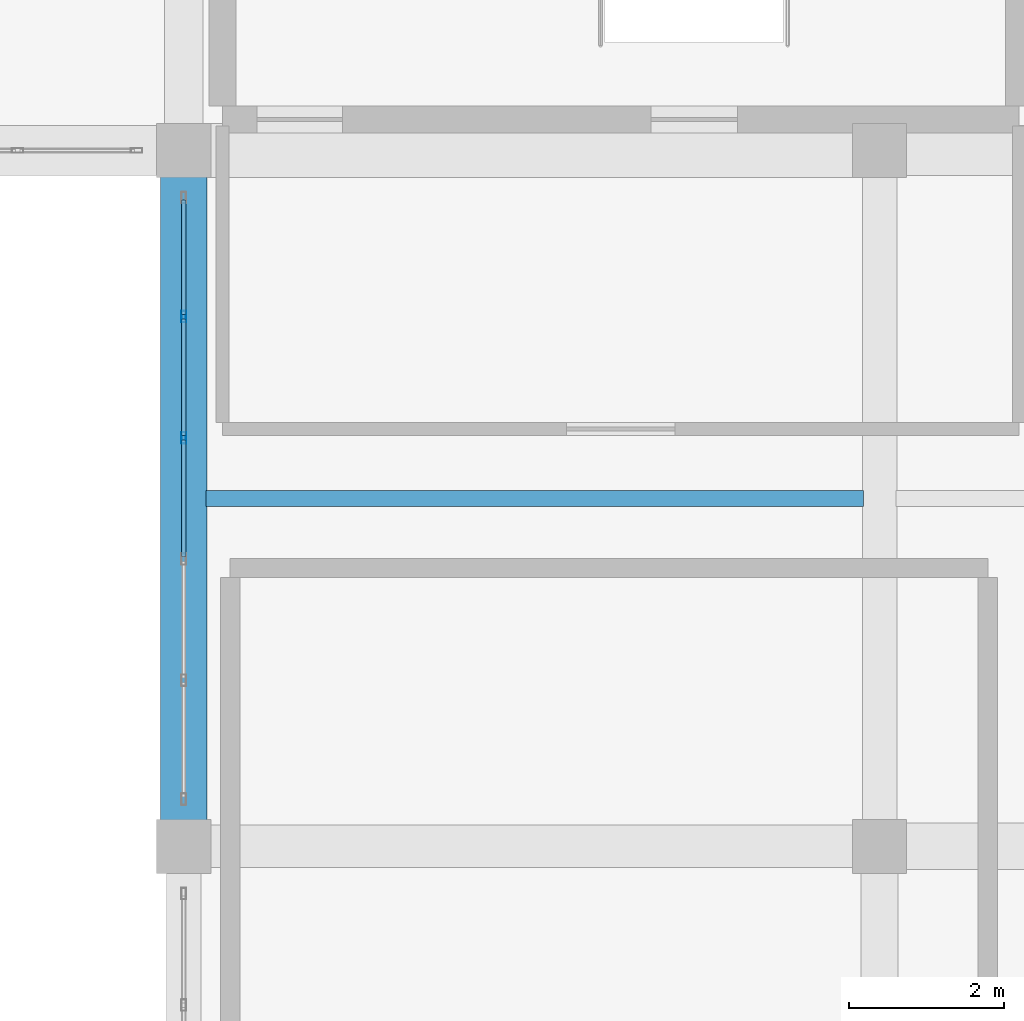
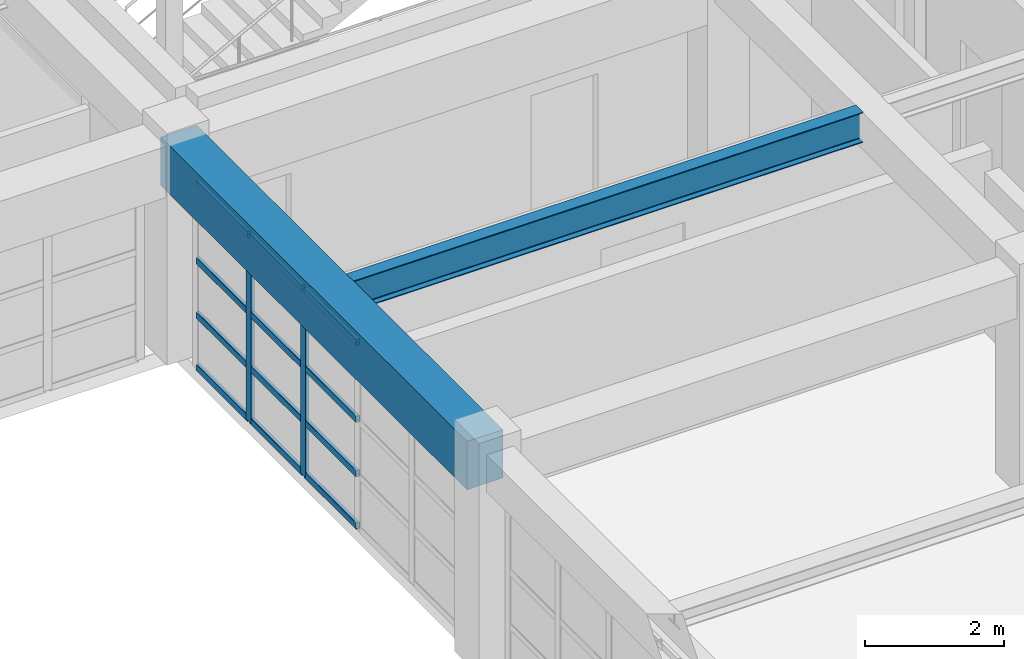
# One storey, part 67 of 130: 14 members, 2 beams, 1 element without a shape of its own.
"""IFC4 building model written with IfcOpenShell, lengths in metres."""

from ifc_helpers import new_model, si_unit, direction, frame, origin, origin_2d, place, context, subcontext, project, spatial, rectangle, hollow_rectangle, i_section, extrude, material, material_profile, profile_set, type_object, element, aggregate, save


model = new_model("IFC4")

# Units and contexts
model_context = context("Model", 3, precision=1e-05, world=origin(), true_north=direction((0.0, 1.0)))
body_context = subcontext(model_context, "Body", "Model", "MODEL_VIEW")
ifc_project = project(units=[si_unit("LENGTHUNIT", "METRE"), si_unit("AREAUNIT", "SQUARE_METRE"), si_unit("VOLUMEUNIT", "CUBIC_METRE"), si_unit("PLANEANGLEUNIT", "RADIAN"), si_unit("MASSUNIT", "GRAM", prefix="KILO")], contexts=[model_context])

# Site, building, storey
site_placement = place(None, origin())
site = spatial("IfcSite", under=ifc_project, at=site_placement, CompositionType="ELEMENT")
building_placement = place(site_placement, origin())
building = spatial("IfcBuilding", under=site, at=building_placement, Name="Miravela Opera House", CompositionType="ELEMENT")
storey_placement = place(building_placement, frame((0.0, 0.0, 9.52001953125)))
storey = spatial("IfcBuildingStorey", under=building, at=storey_placement, Name="L02", CompositionType="ELEMENT", Elevation=9.52001953125)

# Curtain wall, members
ifc_material_1 = material(Name="Anodised architectural bronze aluminium 6063-T6", Category="aluminium")
curtain_wall_type = type_object("IfcCurtainWallType", Name="ARC-CW-05", PredefinedType="NOTDEFINED", material=ifc_material_1)
curtain_wall_placement = place(storey_placement, origin())
curtain_wall = element("IfcCurtainWall", 1, at=curtain_wall_placement, inside=storey, type_object=curtain_wall_type, Name="Courtyard Arcade Curtain Wall CW-L02-100", PredefinedType="NOTDEFINED")
ifc_material_profile_1 = material_profile(ifc_material_1, hollow_rectangle(XDim=0.06005859375, YDim=0.14990234375, WallThickness=0.00390625, InnerFilletRadius=0.001953125, OuterFilletRadius=0.00390625, at=origin_2d()), Name="CWM-60X150")
ifc_profile_set_1 = profile_set([ifc_material_profile_1])
member_type_1 = type_object("IfcMemberType", Name="ARC-CWM-150", PredefinedType="MULLION", material=ifc_profile_set_1)
member_1_placement = place(storey_placement, frame((63.0, 99.283935546875, 0.0), z_axis=(0.0, 0.0, 1.0), x_axis=(-1.0, 0.0, 0.0)))
member_1 = element("IfcMember", 2, at=member_1_placement, type_object=member_type_1, Name="CW-05 mullion 4", PredefinedType="MULLION", context=body_context, shape_type="SweptSolid", body=[
    extrude(hollow_rectangle(XDim=0.06005859375, YDim=0.14990234375, WallThickness=0.00390625, InnerFilletRadius=0.001953125, OuterFilletRadius=0.00390625, at=origin_2d()), origin(), (0.0, 0.0, 1.0), 3.2900390625),
])
member_2_placement = place(storey_placement, frame((63.0, 100.85205078125, 0.0), z_axis=(0.0, 0.0, 1.0), x_axis=(-1.0, 0.0, 0.0)))
member_2 = element("IfcMember", 3, at=member_2_placement, type_object=member_type_1, Name="CW-05 mullion 5", PredefinedType="MULLION", context=body_context, shape_type="SweptSolid", body=[
    extrude(hollow_rectangle(XDim=0.06005859375, YDim=0.14990234375, WallThickness=0.00390625, InnerFilletRadius=0.001953125, OuterFilletRadius=0.00390625, at=origin_2d()), origin(), (0.0, 0.0, 1.0), 3.2900390625),
])
ifc_material_profile_2 = material_profile(ifc_material_1, hollow_rectangle(XDim=0.06005859375, YDim=0.114990234375, WallThickness=0.00390625, InnerFilletRadius=0.001953125, OuterFilletRadius=0.00390625, at=origin_2d()), Name="CWT-60X115")
ifc_profile_set_2 = profile_set([ifc_material_profile_2])
member_type_2 = type_object("IfcMemberType", Name="ARC-CWT-115", PredefinedType="USERDEFINED", material=ifc_profile_set_2)
member_3_placement = place(storey_placement, frame((63.0, 97.74609375, 0.030029296875), z_axis=(0.0, 1.0, 0.0), x_axis=(-1.0, 0.0, 0.0)))
member_3 = element("IfcMember", 4, at=member_3_placement, type_object=member_type_2, Name="CW-05 transom 3.1", ObjectType="TRANSOM", PredefinedType="USERDEFINED", context=body_context, shape_type="SweptSolid", body=[
    extrude(hollow_rectangle(XDim=0.06005859375, YDim=0.114990234375, WallThickness=0.00390625, InnerFilletRadius=0.001953125, OuterFilletRadius=0.00390625, at=origin_2d()), origin(), (0.0, 0.0, 1.0), 1.5078125),
])
member_4_placement = place(storey_placement, frame((63.0, 97.74609375, 0.949951171875), z_axis=(0.0, 1.0, 0.0), x_axis=(-1.0, 0.0, 0.0)))
member_4 = element("IfcMember", 5, at=member_4_placement, type_object=member_type_2, Name="CW-05 transom 3.2", ObjectType="TRANSOM", PredefinedType="USERDEFINED", context=body_context, shape_type="SweptSolid", body=[
    extrude(hollow_rectangle(XDim=0.06005859375, YDim=0.114990234375, WallThickness=0.00390625, InnerFilletRadius=0.001953125, OuterFilletRadius=0.00390625, at=origin_2d()), origin(), (0.0, 0.0, 1.0), 1.5078125),
])
member_5_placement = place(storey_placement, frame((63.0, 97.74609375, 1.908203125), z_axis=(0.0, 1.0, 0.0), x_axis=(-1.0, 0.0, 0.0)))
member_5 = element("IfcMember", 6, at=member_5_placement, type_object=member_type_2, Name="CW-05 transom 3.3", ObjectType="TRANSOM", PredefinedType="USERDEFINED", context=body_context, shape_type="SweptSolid", body=[
    extrude(hollow_rectangle(XDim=0.06005859375, YDim=0.114990234375, WallThickness=0.00390625, InnerFilletRadius=0.001953125, OuterFilletRadius=0.00390625, at=origin_2d()), origin(), (0.0, 0.0, 1.0), 1.5078125),
])
member_6_placement = place(storey_placement, frame((63.0, 97.74609375, 3.260009765625), z_axis=(0.0, 1.0, 0.0), x_axis=(-1.0, 0.0, 0.0)))
member_6 = element("IfcMember", 7, at=member_6_placement, type_object=member_type_2, Name="CW-05 transom 3.4", ObjectType="TRANSOM", PredefinedType="USERDEFINED", context=body_context, shape_type="SweptSolid", body=[
    extrude(hollow_rectangle(XDim=0.06005859375, YDim=0.114990234375, WallThickness=0.00390625, InnerFilletRadius=0.001953125, OuterFilletRadius=0.00390625, at=origin_2d()), origin(), (0.0, 0.0, 1.0), 1.5078125),
])
member_7_placement = place(storey_placement, frame((63.0, 99.31396484375, 0.030029296875), z_axis=(0.0, 1.0, 0.0), x_axis=(-1.0, 0.0, 0.0)))
member_7 = element("IfcMember", 8, at=member_7_placement, type_object=member_type_2, Name="CW-05 transom 4.1", ObjectType="TRANSOM", PredefinedType="USERDEFINED", context=body_context, shape_type="SweptSolid", body=[
    extrude(hollow_rectangle(XDim=0.06005859375, YDim=0.114990234375, WallThickness=0.00390625, InnerFilletRadius=0.001953125, OuterFilletRadius=0.00390625, at=origin_2d()), origin(), (0.0, 0.0, 1.0), 1.508056640625),
])
member_8_placement = place(storey_placement, frame((63.0, 99.31396484375, 0.949951171875), z_axis=(0.0, 1.0, 0.0), x_axis=(-1.0, 0.0, 0.0)))
member_8 = element("IfcMember", 9, at=member_8_placement, type_object=member_type_2, Name="CW-05 transom 4.2", ObjectType="TRANSOM", PredefinedType="USERDEFINED", context=body_context, shape_type="SweptSolid", body=[
    extrude(hollow_rectangle(XDim=0.06005859375, YDim=0.114990234375, WallThickness=0.00390625, InnerFilletRadius=0.001953125, OuterFilletRadius=0.00390625, at=origin_2d()), origin(), (0.0, 0.0, 1.0), 1.508056640625),
])
member_9_placement = place(storey_placement, frame((63.0, 99.31396484375, 1.908203125), z_axis=(0.0, 1.0, 0.0), x_axis=(-1.0, 0.0, 0.0)))
member_9 = element("IfcMember", 10, at=member_9_placement, type_object=member_type_2, Name="CW-05 transom 4.3", ObjectType="TRANSOM", PredefinedType="USERDEFINED", context=body_context, shape_type="SweptSolid", body=[
    extrude(hollow_rectangle(XDim=0.06005859375, YDim=0.114990234375, WallThickness=0.00390625, InnerFilletRadius=0.001953125, OuterFilletRadius=0.00390625, at=origin_2d()), origin(), (0.0, 0.0, 1.0), 1.508056640625),
])
member_10_placement = place(storey_placement, frame((63.0, 99.31396484375, 3.260009765625), z_axis=(0.0, 1.0, 0.0), x_axis=(-1.0, 0.0, 0.0)))
member_10 = element("IfcMember", 11, at=member_10_placement, type_object=member_type_2, Name="CW-05 transom 4.4", ObjectType="TRANSOM", PredefinedType="USERDEFINED", context=body_context, shape_type="SweptSolid", body=[
    extrude(hollow_rectangle(XDim=0.06005859375, YDim=0.114990234375, WallThickness=0.00390625, InnerFilletRadius=0.001953125, OuterFilletRadius=0.00390625, at=origin_2d()), origin(), (0.0, 0.0, 1.0), 1.508056640625),
])
member_11_placement = place(storey_placement, frame((63.0, 100.882080078125, 0.030029296875), z_axis=(0.0, 1.0, 0.0), x_axis=(-1.0, 0.0, 0.0)))
member_11 = element("IfcMember", 12, at=member_11_placement, type_object=member_type_2, Name="CW-05 transom 5.1", ObjectType="TRANSOM", PredefinedType="USERDEFINED", context=body_context, shape_type="SweptSolid", body=[
    extrude(hollow_rectangle(XDim=0.06005859375, YDim=0.114990234375, WallThickness=0.00390625, InnerFilletRadius=0.001953125, OuterFilletRadius=0.00390625, at=origin_2d()), origin(), (0.0, 0.0, 1.0), 1.47802734375),
])
member_12_placement = place(storey_placement, frame((63.0, 100.882080078125, 0.949951171875), z_axis=(0.0, 1.0, 0.0), x_axis=(-1.0, 0.0, 0.0)))
member_12 = element("IfcMember", 13, at=member_12_placement, type_object=member_type_2, Name="CW-05 transom 5.2", ObjectType="TRANSOM", PredefinedType="USERDEFINED", context=body_context, shape_type="SweptSolid", body=[
    extrude(hollow_rectangle(XDim=0.06005859375, YDim=0.114990234375, WallThickness=0.00390625, InnerFilletRadius=0.001953125, OuterFilletRadius=0.00390625, at=origin_2d()), origin(), (0.0, 0.0, 1.0), 1.47802734375),
])
member_13_placement = place(storey_placement, frame((63.0, 100.882080078125, 1.908203125), z_axis=(0.0, 1.0, 0.0), x_axis=(-1.0, 0.0, 0.0)))
member_13 = element("IfcMember", 14, at=member_13_placement, type_object=member_type_2, Name="CW-05 transom 5.3", ObjectType="TRANSOM", PredefinedType="USERDEFINED", context=body_context, shape_type="SweptSolid", body=[
    extrude(hollow_rectangle(XDim=0.06005859375, YDim=0.114990234375, WallThickness=0.00390625, InnerFilletRadius=0.001953125, OuterFilletRadius=0.00390625, at=origin_2d()), origin(), (0.0, 0.0, 1.0), 1.47802734375),
])
member_14_placement = place(storey_placement, frame((63.0, 100.882080078125, 3.260009765625), z_axis=(0.0, 1.0, 0.0), x_axis=(-1.0, 0.0, 0.0)))
member_14 = element("IfcMember", 15, at=member_14_placement, type_object=member_type_2, Name="CW-05 transom 5.4", ObjectType="TRANSOM", PredefinedType="USERDEFINED", context=body_context, shape_type="SweptSolid", body=[
    extrude(hollow_rectangle(XDim=0.06005859375, YDim=0.114990234375, WallThickness=0.00390625, InnerFilletRadius=0.001953125, OuterFilletRadius=0.00390625, at=origin_2d()), origin(), (0.0, 0.0, 1.0), 1.47802734375),
])
aggregate(curtain_wall, [member_1, member_2, member_3, member_4, member_5, member_6, member_7, member_8, member_9, member_10, member_11, member_12, member_13, member_14])

# Beams
ifc_material_2 = material(Name="Concrete C40/50", Category="concrete")
ifc_material_profile_3 = material_profile(ifc_material_2, rectangle(XDim=0.60009765625, YDim=0.85009765625, at=origin_2d()), Name="RC-BM-600X850")
ifc_profile_set_3 = profile_set([ifc_material_profile_3])
beam_type_1 = type_object("IfcBeamType", Name="STR-BM-RC600X850", PredefinedType="BEAM", material=ifc_profile_set_3)
beam_1_placement = place(storey_placement, frame((63.0, 94.080078125, 3.4150390625), z_axis=(0.0, 1.0, 0.0), x_axis=(-1.0, 0.0, 0.0)))
element("IfcBeam", 16, at=beam_1_placement, inside=storey, type_object=beam_type_1, Name="Floor Girder L02 8/K-L", PredefinedType="BEAM", context=body_context, shape_type="SweptSolid", body=[
    extrude(rectangle(XDim=0.60009765625, YDim=0.85009765625, at=origin_2d()), origin(), (0.0, 0.0, 1.0), 8.83984375),
])
ifc_material_3 = material(Name="Structural steel ASTM A992 Gr. 50", Category="steel")
ifc_material_profile_4 = material_profile(ifc_material_3, i_section(OverallWidth=0.208984375, OverallDepth=0.532958984375, WebThickness=0.01025390625, FlangeThickness=0.015625, FilletRadius=0.014892578125, at=origin_2d()), Name="W530X92")
ifc_profile_set_4 = profile_set([ifc_material_profile_4])
beam_type_2 = type_object("IfcBeamType", Name="STR-BM-W530X92", PredefinedType="BEAM", material=ifc_profile_set_4)
beam_2_placement = place(storey_placement, frame((63.284912109375, 98.5, 3.573486328125), z_axis=(1.0, 0.0, 0.0), x_axis=(0.0, 1.0, 0.0)))
element("IfcBeam", 17, at=beam_2_placement, inside=storey, type_object=beam_type_2, Name="Secondary Floor Joist L02 8-9/K-L", PredefinedType="BEAM", context=body_context, shape_type="SweptSolid", body=[
    extrude(i_section(OverallWidth=0.208984375, OverallDepth=0.532958984375, WebThickness=0.01025390625, FlangeThickness=0.015625, FilletRadius=0.014892578125, at=origin_2d()), origin(), (0.0, 0.0, 1.0), 8.505126953125),
])

save(model, "model.ifc")
